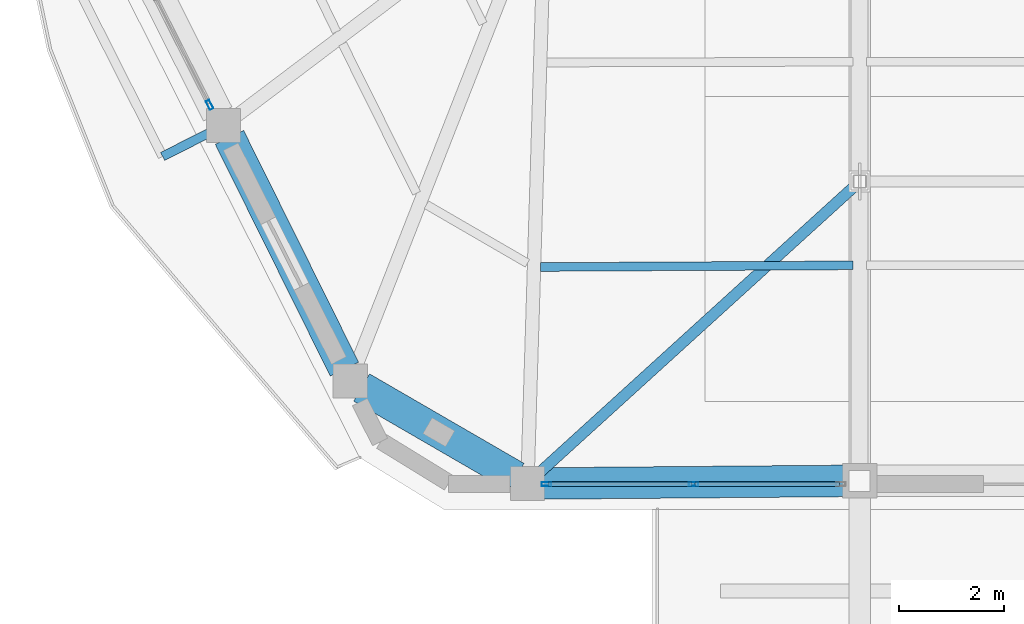
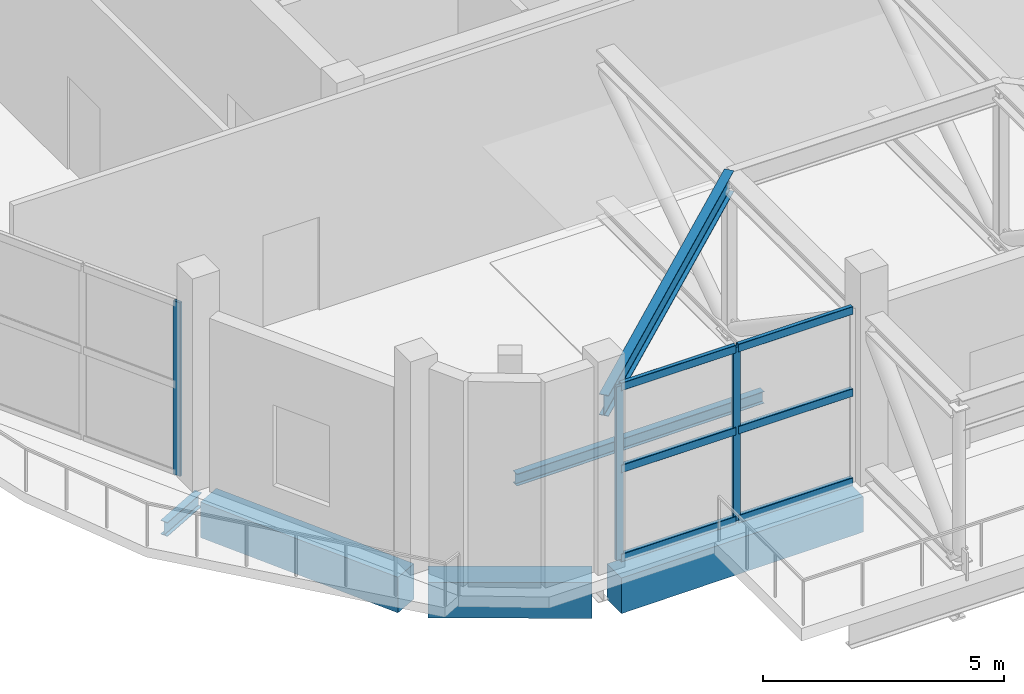
# One storey, part 2 of 23: 9 members, 6 beams, 2 elements without a shape of their own.
"""IFC4 building model written with IfcOpenShell, lengths in metres."""

import ifcopenshell
import ifcopenshell.guid

model = None  # the IFC model being written
_history = None  # IfcOwnerHistory: only IFC2X3 demands one
_inside = {}  # id of a spatial element -> (the spatial element, [elements in it])
_under = {}  # id of a project, library or spatial element -> (it, [spatial elements below it])
_declared = {}  # id of a project -> (the project, [libraries it declares])
_typed = {}  # id of a type object -> (the type object, [elements of that type])
_made_of = {}  # id of a material, layer set ... -> (it, [elements and type objects made of it])


def new_model(schema):
    """Start an empty IFC model of exactly this schema.

    Asked for "IFC4X3", IfcOpenShell would pick the latest addendum, in which some entities
    have other attributes; the version numbers below select the first issue.
    IFC2X3 requires an IfcOwnerHistory on every rooted entity: one is made here for all.
    """
    global model, _history
    if schema == "IFC4X3":
        model = ifcopenshell.file(schema_version=(4, 3, 0, 0))
    else:
        model = ifcopenshell.file(schema=schema)
    _inside.clear()
    _under.clear()
    _declared.clear()
    _typed.clear()
    _made_of.clear()
    _history = None
    if model.schema == "IFC2X3":
        org = make("IfcOrganization", Name="unknown")
        user = make(
            "IfcPersonAndOrganization",
            ThePerson=make("IfcPerson", FamilyName="unknown"),
            TheOrganization=org,
        )
        app = make(
            "IfcApplication",
            ApplicationDeveloper=org,
            Version="unknown",
            ApplicationFullName="unknown",
            ApplicationIdentifier="unknown",
        )
        _history = make(
            "IfcOwnerHistory",
            OwningUser=user,
            OwningApplication=app,
            ChangeAction="ADDED",
            CreationDate=0,
        )
    return model


def make(cls, **values):
    """One entity of the class cls with the attributes given. An attribute that is None is left unset."""
    return model.create_entity(
        cls, **{name: value for name, value in values.items() if value is not None}
    )


def rooted(cls, **values):
    """An entity with a GlobalId (a new one), such as an element, a storey or a relation."""
    return make(cls, GlobalId=ifcopenshell.guid.new(), OwnerHistory=_history, **values)


def si_unit(unit_type, name, prefix=None):
    """IfcSIUnit, for example si_unit("LENGTHUNIT", "METRE", prefix="MILLI")."""
    return make("IfcSIUnit", UnitType=unit_type, Prefix=prefix, Name=name)


def assignment(units):
    """IfcUnitAssignment: the units of a project."""
    return None if units is None else make("IfcUnitAssignment", Units=units)


def point(xyz):
    """IfcCartesianPoint."""
    return None if xyz is None else make("IfcCartesianPoint", Coordinates=xyz)


def direction(xyz):
    """IfcDirection."""
    return None if xyz is None else make("IfcDirection", DirectionRatios=xyz)


def frame(location, z_axis=None, x_axis=None):
    """IfcAxis2Placement3D, a coordinate frame: its origin and axes. An axis left out is left unset."""
    return make(
        "IfcAxis2Placement3D",
        Location=point(location),
        Axis=direction(z_axis),
        RefDirection=direction(x_axis),
    )


def frame_2d(location, x_axis=None):
    """IfcAxis2Placement2D, a coordinate frame in the plane: its origin and x axis."""
    return make(
        "IfcAxis2Placement2D", Location=point(location), RefDirection=direction(x_axis)
    )


def origin():
    """The frame at (0, 0, 0) with its axes left unset."""
    return frame((0.0, 0.0, 0.0))


def origin_2d():
    """The frame at (0, 0) in the plane with its x axis left unset."""
    return frame_2d((0.0, 0.0))


def place(relative_to, where):
    """IfcLocalPlacement: puts the frame where relative to a parent placement (None: the world)."""
    return make(
        "IfcLocalPlacement", PlacementRelTo=relative_to, RelativePlacement=where
    )


def context(
    kind, dimensions, precision=None, world=None, true_north=None, identifier=None
):
    """IfcGeometricRepresentationContext, for example the 3D "Model" context."""
    return make(
        "IfcGeometricRepresentationContext",
        ContextIdentifier=identifier,
        ContextType=kind,
        CoordinateSpaceDimension=dimensions,
        Precision=precision,
        WorldCoordinateSystem=world,
        TrueNorth=true_north,
    )


def subcontext(parent, identifier, kind, view, scale=None):
    """IfcGeometricRepresentationSubContext, for example "Body" below "Model"."""
    return make(
        "IfcGeometricRepresentationSubContext",
        ContextIdentifier=identifier,
        ContextType=kind,
        ParentContext=parent,
        TargetScale=scale,
        TargetView=view,
    )


def project(units=None, contexts=None):
    """IfcProject with its units and contexts."""
    return rooted(
        "IfcProject",
        Name="project",
        RepresentationContexts=contexts,
        UnitsInContext=assignment(units),
    )


def spatial(cls, under=None, at=None, **own):
    """A site, building, storey or space (cls), placed at a placement, below another one or the project."""
    s = rooted(cls, ObjectPlacement=at, **own)
    if under is not None:
        _under.setdefault(under.id(), (under, []))[1].append(s)
    return s


def profile(cls, at=None, kind="AREA", **sizes):
    """A parametric profile (cls). Its sizes go by their IFC names, for example OverallWidth=200.0."""
    return make(cls, ProfileType=kind, Position=at, **sizes)


def rectangle(**sizes):
    """IfcRectangleProfileDef."""
    return profile("IfcRectangleProfileDef", **sizes)


def hollow_rectangle(**sizes):
    """IfcRectangleHollowProfileDef."""
    return profile("IfcRectangleHollowProfileDef", **sizes)


def i_section(**sizes):
    """IfcIShapeProfileDef."""
    return profile("IfcIShapeProfileDef", **sizes)


def extrude(swept, where, along, depth):
    """IfcExtrudedAreaSolid: the profile swept, set in the frame where, extruded along a direction by depth."""
    return make(
        "IfcExtrudedAreaSolid",
        SweptArea=swept,
        Position=where,
        ExtrudedDirection=direction(along),
        Depth=depth,
    )


def shape(context_of_items, identifier, shape_type, items):
    """IfcShapeRepresentation: the items that make up one representation, for example the "Body"."""
    return make(
        "IfcShapeRepresentation",
        ContextOfItems=context_of_items,
        RepresentationIdentifier=identifier,
        RepresentationType=shape_type,
        Items=items,
    )


def material(Name=None, Category=None):
    """IfcMaterial."""
    return make("IfcMaterial", Name=Name, Category=Category)


def layer(
    of_material, thickness, ventilated=None, Name=None, Category=None, Priority=None
):
    """IfcMaterialLayer: one layer of a wall or slab, of a material (None: an air gap)."""
    return make(
        "IfcMaterialLayer",
        Material=of_material,
        LayerThickness=thickness,
        IsVentilated=ventilated,
        Name=Name,
        Category=Category,
        Priority=Priority,
    )


def layer_set(layers, Name=None):
    """IfcMaterialLayerSet."""
    return make("IfcMaterialLayerSet", MaterialLayers=layers, LayerSetName=Name)


def material_profile(
    of_material, cross_section, Name=None, Category=None, Priority=None
):
    """IfcMaterialProfile: a cross section and its material."""
    return make(
        "IfcMaterialProfile",
        Name=Name,
        Material=of_material,
        Profile=cross_section,
        Priority=Priority,
        Category=Category,
    )


def profile_set(profiles, Name=None, composite=None):
    """IfcMaterialProfileSet."""
    return make(
        "IfcMaterialProfileSet",
        Name=Name,
        MaterialProfiles=profiles,
        CompositeProfile=composite,
    )


def made_of(thing, what):
    """Note that an element or type object is made of a material, layer set ...; save() writes the relation."""
    if what is not None:
        _made_of.setdefault(what.id(), (what, []))[1].append(thing)
    return thing


def type_object(cls, material=None, **own):
    """A type object (cls), such as IfcWallType, which elements share."""
    return made_of(rooted(cls, **own), material)


def element(
    cls,
    number,
    at=None,
    inside=None,
    cuts=None,
    type_object=None,
    material=None,
    context=None,
    identifier="Body",
    shape_type=None,
    held_by="IfcProductDefinitionShape",
    body=None,
    shapes=None,
    **own,
):
    """One element of the class cls, such as IfcWall. Its Tag is "e" and its number.

    at: its placement. inside: the storey or other place that contains it. cuts: it is an
    opening in that element (IfcRelVoidsElement). A single representation is given by context,
    identifier, shape_type and body (its items); several are given by shapes. held_by: the class
    of the entity that holds the representations. save() writes the other relations.
    """
    e = rooted(cls, Tag="e%d" % number, ObjectPlacement=at, **own)
    if body is not None:
        shapes = [shape(context, identifier, shape_type, body)]
    if shapes is not None:
        e.Representation = make(held_by, Representations=shapes)
    if inside is not None:
        _inside.setdefault(inside.id(), (inside, []))[1].append(e)
    if cuts is not None:
        rooted(
            "IfcRelVoidsElement", RelatingBuildingElement=cuts, RelatedOpeningElement=e
        )
    if type_object is not None:
        _typed.setdefault(type_object.id(), (type_object, []))[1].append(e)
    return made_of(e, material)


def aggregate(whole, parts):
    """IfcRelAggregates: a whole, such as a stair, and the parts it consists of."""
    return rooted("IfcRelAggregates", RelatingObject=whole, RelatedObjects=parts)


def save(model, path):
    """Write the relations noted so far, then the file.

    IfcRelAggregates (storeys below a building ...), IfcRelContainedInSpatialStructure (elements
    in a storey), IfcRelDefinesByType, IfcRelAssociatesMaterial and IfcRelDeclares: one each for
    every whole, place, type object, material and project.
    """
    for whole, parts in _under.values():
        aggregate(whole, parts)
    for where, things in _inside.values():
        rooted(
            "IfcRelContainedInSpatialStructure",
            RelatedElements=things,
            RelatingStructure=where,
        )
    for kind, things in _typed.values():
        rooted("IfcRelDefinesByType", RelatedObjects=things, RelatingType=kind)
    for what, things in _made_of.values():
        rooted("IfcRelAssociatesMaterial", RelatedObjects=things, RelatingMaterial=what)
    for by, libraries in _declared.values():
        rooted("IfcRelDeclares", RelatingContext=by, RelatedDefinitions=libraries)
    model.write(path)


model = new_model("IFC4")

# Units and contexts
model_context = context("Model", 3, precision=1e-05, world=origin(), true_north=direction((0.0, 1.0)))
body_context = subcontext(model_context, "Body", "Model", "MODEL_VIEW")
ifc_project = project(units=[si_unit("LENGTHUNIT", "METRE"), si_unit("AREAUNIT", "SQUARE_METRE"), si_unit("VOLUMEUNIT", "CUBIC_METRE"), si_unit("PLANEANGLEUNIT", "RADIAN"), si_unit("MASSUNIT", "GRAM", prefix="KILO")], contexts=[model_context])

# Site, building, storey
site_placement = place(None, origin())
site = spatial("IfcSite", under=ifc_project, at=site_placement, CompositionType="ELEMENT")
building_placement = place(site_placement, origin())
building = spatial("IfcBuilding", under=site, at=building_placement, Name="Cinnabar Lancet Tower", CompositionType="ELEMENT")
storey_placement = place(building_placement, frame((0.0, 0.0, 278.10009765625)))
storey = spatial("IfcBuildingStorey", under=building, at=storey_placement, Name="L74", CompositionType="ELEMENT", Elevation=278.10009765625)

# Curtain wall, members
ifc_material_1 = material(Name="Thermally broken bronze-anodized aluminium and low-E glass", Category="aluminium")
ifc_layer = layer(ifc_material_1, 0.179931640625)
ifc_layer_set = layer_set([ifc_layer], Name="Thermally broken bronze-anodized aluminium and low-E glass")
curtain_wall_type = type_object("IfcCurtainWallType", Name="ENV-CW-SYS-04", PredefinedType="NOTDEFINED", material=ifc_layer_set)
curtain_wall_1_placement = place(storey_placement, origin())
curtain_wall_1 = element("IfcCurtainWall", 1, at=curtain_wall_1_placement, inside=storey, type_object=curtain_wall_type, Name="L74 South Conservatory Curtain Wall", PredefinedType="NOTDEFINED")
ifc_material_2 = material(Name="Anodized architectural aluminium 6063-T6", Category="aluminium")
ifc_material_profile_1 = material_profile(ifc_material_2, hollow_rectangle(XDim=0.074951171875, YDim=0.179931640625, WallThickness=0.00390625, InnerFilletRadius=0.001953125, OuterFilletRadius=0.006103515625, at=origin_2d()), Name="CW-MUL 180x75x4")
ifc_profile_set_1 = profile_set([ifc_material_profile_1], Name="Anodized architectural aluminium 6063-T6")
member_type_1 = type_object("IfcMemberType", Name="ENV-CW-MUL-180", PredefinedType="MULLION", material=ifc_profile_set_1)
member_1_placement = place(storey_placement, frame((23.18701171875, 7.22998046875, 0.0), z_axis=(0.0, 0.0, 1.0), x_axis=(0.0, 1.0, 0.0)))
member_1 = element("IfcMember", 2, at=member_1_placement, type_object=member_type_1, Name="CW-04 mullion 1", PredefinedType="MULLION", context=body_context, shape_type="SweptSolid", body=[
    extrude(hollow_rectangle(XDim=0.074951171875, YDim=0.179931640625, WallThickness=0.00390625, InnerFilletRadius=0.001953125, OuterFilletRadius=0.006103515625, at=origin_2d()), origin(), (0.0, 0.0, 1.0), 4.389892578125),
])
member_2_placement = place(storey_placement, frame((25.987060546875, 7.22998046875, 0.0), z_axis=(0.0, 0.0, 1.0), x_axis=(0.0, 1.0, 0.0)))
member_2 = element("IfcMember", 3, at=member_2_placement, type_object=member_type_1, Name="CW-04 mullion 2", PredefinedType="MULLION", context=body_context, shape_type="SweptSolid", body=[
    extrude(hollow_rectangle(XDim=0.074951171875, YDim=0.179931640625, WallThickness=0.00390625, InnerFilletRadius=0.001953125, OuterFilletRadius=0.006103515625, at=origin_2d()), origin(), (0.0, 0.0, 1.0), 4.389892578125),
])

# Curtain wall, member
curtain_wall_2_placement = place(storey_placement, origin())
curtain_wall_2 = element("IfcCurtainWall", 4, at=curtain_wall_2_placement, inside=storey, type_object=curtain_wall_type, Name="L74 Face 6 Feature Curtain Wall", PredefinedType="NOTDEFINED")
member_3_placement = place(storey_placement, frame((16.784423828125, 14.439697265625, 0.0), z_axis=(0.0, 0.0, 1.0), x_axis=(0.892344822897, 0.451354314314, 0.0)))
member_3 = element("IfcMember", 5, at=member_3_placement, type_object=member_type_1, Name="CW-04 mullion 3", PredefinedType="MULLION", context=body_context, shape_type="SweptSolid", body=[
    extrude(hollow_rectangle(XDim=0.074951171875, YDim=0.179931640625, WallThickness=0.00390625, InnerFilletRadius=0.001953125, OuterFilletRadius=0.006103515625, at=origin_2d()), origin(), (0.0, 0.0, 1.0), 4.389892578125),
])
aggregate(curtain_wall_2, [member_3])

# Member
ifc_material_3 = material(Name="Anodized architectural aluminium 6063-T6", Category="aluminium")
ifc_material_profile_2 = material_profile(ifc_material_3, hollow_rectangle(XDim=0.10009765625, YDim=0.199951171875, WallThickness=0.008056640625, InnerFilletRadius=0.00390625, OuterFilletRadius=0.011962890625, at=origin_2d()), Name="RHS 200x100x8")
ifc_profile_set_2 = profile_set([ifc_material_profile_2], Name="Anodized architectural aluminium 6063-T6")
member_type_2 = type_object("IfcMemberType", Name="ENV-CW-TRN-140", PredefinedType="USERDEFINED", material=ifc_profile_set_2)
member_4_placement = place(storey_placement, frame((23.217041015625, 7.22998046875, 0.02978515625), z_axis=(1.0, 0.0, 0.0), x_axis=(0.0, 1.0, 0.0)))
member_4 = element("IfcMember", 6, at=member_4_placement, type_object=member_type_2, Name="CW-04 transom 1.1", ObjectType="TRANSOM", PredefinedType="USERDEFINED", context=body_context, shape_type="SweptSolid", body=[
    extrude(hollow_rectangle(XDim=0.10009765625, YDim=0.199951171875, WallThickness=0.008056640625, InnerFilletRadius=0.00390625, OuterFilletRadius=0.011962890625, at=origin_2d()), origin(), (0.0, 0.0, 1.0), 2.739990234375),
])

member_5_placement = place(storey_placement, frame((23.217041015625, 7.22998046875, 2.282958984375), z_axis=(1.0, 0.0, 0.0), x_axis=(0.0, 1.0, 0.0)))
member_5 = element("IfcMember", 7, at=member_5_placement, type_object=member_type_2, Name="CW-04 transom 1.2", ObjectType="TRANSOM", PredefinedType="USERDEFINED", context=body_context, shape_type="SweptSolid", body=[
    extrude(hollow_rectangle(XDim=0.10009765625, YDim=0.199951171875, WallThickness=0.008056640625, InnerFilletRadius=0.00390625, OuterFilletRadius=0.011962890625, at=origin_2d()), origin(), (0.0, 0.0, 1.0), 2.739990234375),
])

member_6_placement = place(storey_placement, frame((23.217041015625, 7.22998046875, 4.35986328125), z_axis=(1.0, 0.0, 0.0), x_axis=(0.0, 1.0, 0.0)))
member_6 = element("IfcMember", 8, at=member_6_placement, type_object=member_type_2, Name="CW-04 transom 1.3", ObjectType="TRANSOM", PredefinedType="USERDEFINED", context=body_context, shape_type="SweptSolid", body=[
    extrude(hollow_rectangle(XDim=0.10009765625, YDim=0.199951171875, WallThickness=0.008056640625, InnerFilletRadius=0.00390625, OuterFilletRadius=0.011962890625, at=origin_2d()), origin(), (0.0, 0.0, 1.0), 2.739990234375),
])

member_7_placement = place(storey_placement, frame((26.01708984375, 7.22998046875, 0.02978515625), z_axis=(1.0, 0.0, 0.0), x_axis=(0.0, 1.0, 0.0)))
member_7 = element("IfcMember", 9, at=member_7_placement, type_object=member_type_2, Name="CW-04 transom 2.1", ObjectType="TRANSOM", PredefinedType="USERDEFINED", context=body_context, shape_type="SweptSolid", body=[
    extrude(hollow_rectangle(XDim=0.10009765625, YDim=0.199951171875, WallThickness=0.008056640625, InnerFilletRadius=0.00390625, OuterFilletRadius=0.011962890625, at=origin_2d()), origin(), (0.0, 0.0, 1.0), 2.739990234375),
])

member_8_placement = place(storey_placement, frame((26.01708984375, 7.22998046875, 2.282958984375), z_axis=(1.0, 0.0, 0.0), x_axis=(0.0, 1.0, 0.0)))
member_8 = element("IfcMember", 10, at=member_8_placement, type_object=member_type_2, Name="CW-04 transom 2.2", ObjectType="TRANSOM", PredefinedType="USERDEFINED", context=body_context, shape_type="SweptSolid", body=[
    extrude(hollow_rectangle(XDim=0.10009765625, YDim=0.199951171875, WallThickness=0.008056640625, InnerFilletRadius=0.00390625, OuterFilletRadius=0.011962890625, at=origin_2d()), origin(), (0.0, 0.0, 1.0), 2.739990234375),
])

member_9_placement = place(storey_placement, frame((26.01708984375, 7.22998046875, 4.35986328125), z_axis=(1.0, 0.0, 0.0), x_axis=(0.0, 1.0, 0.0)))
member_9 = element("IfcMember", 11, at=member_9_placement, type_object=member_type_2, Name="CW-04 transom 2.3", ObjectType="TRANSOM", PredefinedType="USERDEFINED", context=body_context, shape_type="SweptSolid", body=[
    extrude(hollow_rectangle(XDim=0.10009765625, YDim=0.199951171875, WallThickness=0.008056640625, InnerFilletRadius=0.00390625, OuterFilletRadius=0.011962890625, at=origin_2d()), origin(), (0.0, 0.0, 1.0), 2.739990234375),
])

aggregate(curtain_wall_1, [member_1, member_2, member_4, member_5, member_6, member_7, member_8, member_9])

# Beams
ifc_material_4 = material(Name="Structural steel S355", Category="steel")
ifc_material_profile_3 = material_profile(ifc_material_4, i_section(OverallWidth=0.1650390625, OverallDepth=0.303466796875, WebThickness=0.006103515625, FlangeThickness=0.01025390625, FilletRadius=0.0087890625, at=origin_2d()), Name="UKB 305x165x40")
ifc_profile_set_3 = profile_set([ifc_material_profile_3], Name="Structural steel S355")
beam_type_1 = type_object("IfcBeamType", Name="STR-BM-JST-305", PredefinedType="JOIST", material=ifc_profile_set_3)
beam_1_placement = place(storey_placement, frame((23.080078125, 11.35693359375, -0.43212890625), z_axis=(0.999985500209, 0.005385106492, 0.0), x_axis=(-0.005385106492, 0.999985500209, 0.0)))
element("IfcBeam", 12, at=beam_1_placement, inside=storey, type_object=beam_type_1, Name="L74 Secondary Floor Joist 8", PredefinedType="JOIST", context=body_context, shape_type="SweptSolid", body=[
    extrude(i_section(OverallWidth=0.1650390625, OverallDepth=0.303466796875, WebThickness=0.006103515625, FlangeThickness=0.01025390625, FilletRadius=0.0087890625, at=origin_2d()), origin(), (0.0, 0.0, 1.0), 5.93896484375),
])
ifc_material_5 = material(Name="Concrete C60/75", Category="concrete")
ifc_material_profile_4 = material_profile(ifc_material_5, rectangle(XDim=0.60009765625, YDim=0.89990234375, at=origin_2d()), Name="RC-SB 600x900")
ifc_profile_set_4 = profile_set([ifc_material_profile_4], Name="Concrete C60/75")
beam_type_2 = type_object("IfcBeamType", Name="STR-BM-RCSB-900", PredefinedType="SPANDREL", material=ifc_profile_set_4)
beam_2_placement = place(storey_placement, frame((23.077880859375, 7.240966796875, -0.72998046875), z_axis=(0.999964432412, 0.008434092187, 0.0), x_axis=(-0.008434092187, 0.999964432412, 0.0)))
element("IfcBeam", 13, at=beam_2_placement, inside=storey, type_object=beam_type_2, Name="L74 Perimeter Spandrel 1", PredefinedType="SPANDREL", context=body_context, shape_type="SweptSolid", body=[
    extrude(rectangle(XDim=0.60009765625, YDim=0.89990234375, at=origin_2d()), origin(), (0.0, 0.0, 1.0), 5.818359375),
])
beam_3_placement = place(storey_placement, frame((17.162109375, 13.822021484375, -0.72998046875), z_axis=(0.44433276947, -0.895861814107, 0.0), x_axis=(0.895861814107, 0.44433276947, 0.0)))
element("IfcBeam", 14, at=beam_3_placement, inside=storey, type_object=beam_type_2, Name="L74 Perimeter Spandrel 23", PredefinedType="SPANDREL", context=body_context, shape_type="SweptSolid", body=[
    extrude(rectangle(XDim=0.60009765625, YDim=0.89990234375, at=origin_2d()), origin(), (0.0, 0.0, 1.0), 4.919189453125),
])
beam_4_placement = place(storey_placement, frame((19.675048828125, 9.06591796875, -0.72998046875), z_axis=(0.865230894194, -0.50137361292, 0.0), x_axis=(0.50137361292, 0.865230894194, 0.0)))
element("IfcBeam", 15, at=beam_4_placement, inside=storey, type_object=beam_type_2, Name="L74 Perimeter Spandrel 24", PredefinedType="SPANDREL", context=body_context, shape_type="SweptSolid", body=[
    extrude(rectangle(XDim=0.60009765625, YDim=0.89990234375, at=origin_2d()), origin(), (0.0, 0.0, 1.0), 3.39453125),
])
ifc_material_6 = material(Name="Structural steel S355", Category="steel")
ifc_material_profile_5 = material_profile(ifc_material_6, i_section(OverallWidth=0.209228515625, OverallDepth=0.533203125, WebThickness=0.010009765625, FlangeThickness=0.015625, FilletRadius=0.0126953125, at=origin_2d()), Name="UKB 533x210x92")
ifc_profile_set_5 = profile_set([ifc_material_profile_5], Name="Structural steel S355")
beam_type_3 = type_object("IfcBeamType", Name="STR-BM-UKB533-92", PredefinedType="BEAM", material=ifc_profile_set_5)
beam_5_placement = place(storey_placement, frame((22.827880859375, 7.239013671875, 4.0029296875), z_axis=(0.739931017056, 0.672682755836, 0.0), x_axis=(-0.672682755836, 0.739931017056, 0.0)))
element("IfcBeam", 16, at=beam_5_placement, inside=storey, type_object=beam_type_3, Name="L74 Sky-Pool Top Tie 1", PredefinedType="BEAM", context=body_context, shape_type="SweptSolid", body=[
    extrude(i_section(OverallWidth=0.209228515625, OverallDepth=0.533203125, WebThickness=0.010009765625, FlangeThickness=0.015625, FilletRadius=0.0126953125, at=origin_2d()), origin(), (0.0, 0.0, 1.0), 8.538818359375),
])
ifc_material_7 = material(Name="Structural steel S355", Category="steel")
ifc_material_profile_6 = material_profile(ifc_material_7, i_section(OverallWidth=0.17138671875, OverallDepth=0.35498046875, WebThickness=0.00732421875, FlangeThickness=0.011474609375, FilletRadius=0.01025390625, at=origin_2d()), Name="UKB 356x171x51")
ifc_profile_set_6 = profile_set([ifc_material_profile_6], Name="Structural steel S355")
beam_type_4 = type_object("IfcBeamType", Name="STR-BM-WAV-OUT", PredefinedType="BEAM", material=ifc_profile_set_6)
beam_6_placement = place(storey_placement, frame((17.051025390625, 14.0458984375, -0.4580078125), z_axis=(-0.89227592947, -0.451490493464, 0.0), x_axis=(0.451490493464, -0.89227592947, 0.0)))
element("IfcBeam", 17, at=beam_6_placement, inside=storey, type_object=beam_type_4, Name="L74 Face 6 Balcony Outlooker B", PredefinedType="BEAM", context=body_context, shape_type="SweptSolid", body=[
    extrude(i_section(OverallWidth=0.17138671875, OverallDepth=0.35498046875, WebThickness=0.00732421875, FlangeThickness=0.011474609375, FilletRadius=0.01025390625, at=origin_2d()), origin(), (0.0, 0.0, 1.0), 1.300048828125),
])

save(model, "model.ifc")
